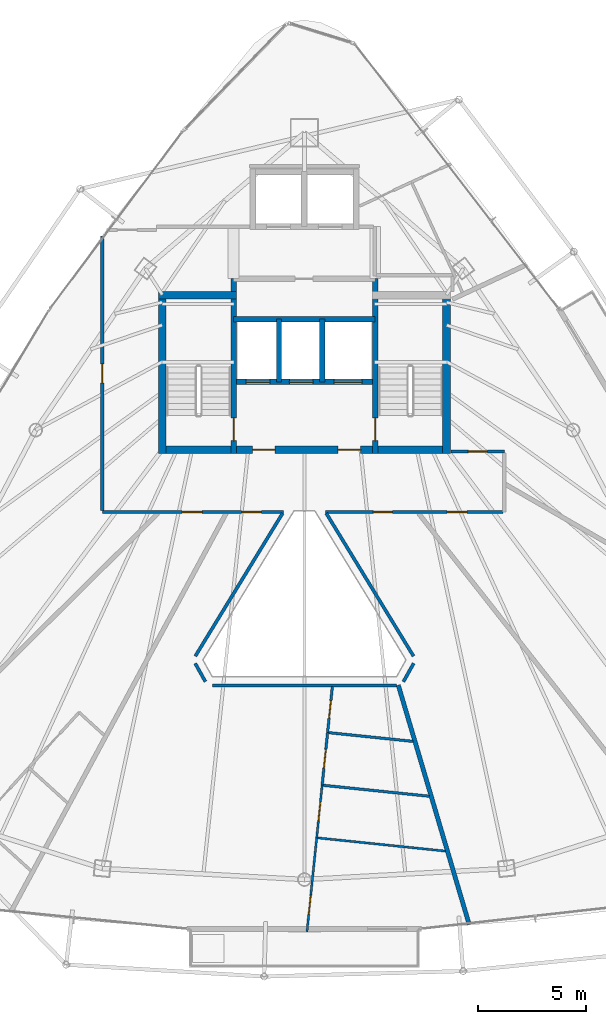
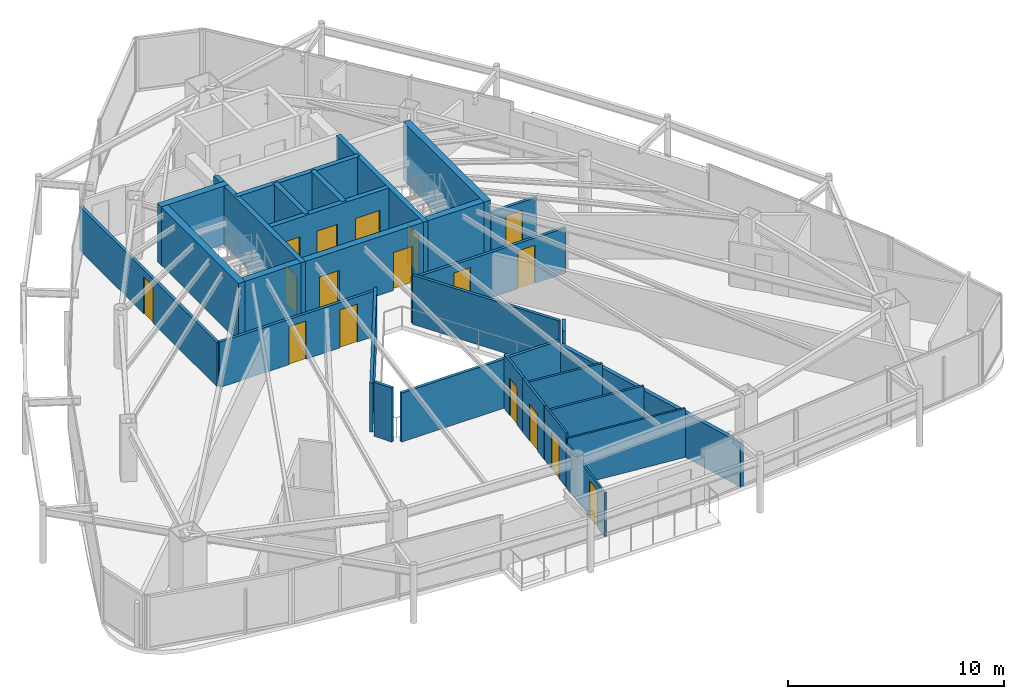
# One storey, part 29 of 33: 27 walls, 17 doors, 17 openings.
"""IFC4 building model written with IfcOpenShell, lengths in metres."""

from ifc_helpers import new_model, si_unit, direction, frame, frame_2d, origin, place, context, subcontext, project, spatial, rectangle, extrude, material, layer, layer_set, type_object, element, fill, save


model = new_model("IFC4")

# Units and contexts
model_context = context("Model", 3, precision=1e-05, world=origin(), true_north=direction((0.0, 1.0)))
body_context = subcontext(model_context, "Body", "Model", "MODEL_VIEW")
ifc_project = project(units=[si_unit("LENGTHUNIT", "METRE"), si_unit("AREAUNIT", "SQUARE_METRE"), si_unit("VOLUMEUNIT", "CUBIC_METRE"), si_unit("PLANEANGLEUNIT", "RADIAN"), si_unit("MASSUNIT", "GRAM", prefix="KILO")], contexts=[model_context])

# Site, building, storey
site_placement = place(None, origin())
site = spatial("IfcSite", under=ifc_project, at=site_placement, CompositionType="ELEMENT")
building_placement = place(site_placement, origin())
building = spatial("IfcBuilding", under=site, at=building_placement, Name="Orvanel Arch Residences", CompositionType="ELEMENT")
storey_placement = place(building_placement, frame((0.0, 0.0, 196.39990234375)))
storey = spatial("IfcBuildingStorey", under=building, at=storey_placement, Name="L55", CompositionType="ELEMENT", Elevation=196.39990234375)

# Wall, opening, door
ifc_material_1 = material(Name="Concrete N50 (50 MPa)", Category="concrete")
ifc_layer_1 = layer(ifc_material_1, 0.25)
ifc_layer_set_1 = layer_set([ifc_layer_1], Name="Concrete N50 (50 MPa)")
wall_type_1 = type_object("IfcWallType", Name="SW-CORE-250", PredefinedType="SHEAR", material=ifc_layer_set_1)
wall_1_placement = place(storey_placement, frame((29.72509765625, 26.550048828125, 0.0), z_axis=(0.0, 0.0, 1.0), x_axis=(0.0, 1.0, 0.0)))
wall_1 = element("IfcWall", 1, at=wall_1_placement, inside=storey, type_object=wall_type_1, Name="L55 West Inner Core Spine Shear Wall", PredefinedType="SHEAR", context=body_context, shape_type="SweptSolid", body=[
    extrude(rectangle(XDim=8.099853515625, YDim=0.25, at=frame_2d((4.0498046875, 0.0))), origin(), (0.0, 0.0, 1.0), 3.300048828125),
])
opening_1_placement = place(wall_1_placement, frame((0.60009765625, 0.0, 0.0)))
opening_1 = element("IfcOpeningElement", 2, at=opening_1_placement, cuts=wall_1, Name="Opening DF-120", PredefinedType="OPENING", context=body_context, shape_type="SweptSolid", body=[
    extrude(rectangle(XDim=1.050048828125, YDim=2.14990234375, at=frame_2d((0.52490234375, 1.074951171875))), frame((0.0, 0.135009765625, 0.0), z_axis=(0.0, -1.0, 0.0), x_axis=(1.0, 0.0, 0.0)), (0.0, 0.0, 1.0), 0.27001953125),
])
ifc_material_2 = material(Name="Galvanised steel fire-resisting door assembly", Category="steel")
door_type_1 = type_object("IfcDoorType", Name="DR-FD120-1050", OperationType="NOTDEFINED", PredefinedType="DOOR", material=ifc_material_2)
door_1_placement = place(opening_1_placement, origin())
door_1 = element("IfcDoor", 3, at=door_1_placement, inside=storey, type_object=door_type_1, Name="DR-L55-ST1 L55 Stair 1 Fire Door", OperationType="SINGLE_SWING_LEFT", OverallHeight=2.14990234375, OverallWidth=1.050048828125, PredefinedType="DOOR", context=body_context, shape_type="SweptSolid", body=[
    extrude(rectangle(XDim=1.050048828125, YDim=2.14990234375, at=frame_2d((0.52490234375, 1.074951171875))), frame((0.0, 0.02490234375, 0.0), z_axis=(0.0, -1.0, 0.0), x_axis=(1.0, 0.0, 0.0)), (0.0, 0.0, 1.0), 0.050048828125),
])
fill(opening_1, door_1)

wall_2_placement = place(storey_placement, frame((36.27490234375, 26.550048828125, 0.0), z_axis=(0.0, 0.0, 1.0), x_axis=(0.0, 1.0, 0.0)))
wall_2 = element("IfcWall", 4, at=wall_2_placement, inside=storey, type_object=wall_type_1, Name="L55 East Inner Core Spine Shear Wall", PredefinedType="SHEAR", context=body_context, shape_type="SweptSolid", body=[
    extrude(rectangle(XDim=8.099853515625, YDim=0.25, at=frame_2d((4.0498046875, 0.0))), origin(), (0.0, 0.0, 1.0), 3.300048828125),
])
opening_2_placement = place(wall_2_placement, frame((0.60009765625, 0.0, 0.0)))
opening_2 = element("IfcOpeningElement", 5, at=opening_2_placement, cuts=wall_2, Name="Opening DF-120", PredefinedType="OPENING", context=body_context, shape_type="SweptSolid", body=[
    extrude(rectangle(XDim=1.050048828125, YDim=2.14990234375, at=frame_2d((0.52490234375, 1.074951171875))), frame((0.0, 0.135009765625, 0.0), z_axis=(0.0, -1.0, 0.0), x_axis=(1.0, 0.0, 0.0)), (0.0, 0.0, 1.0), 0.27001953125),
])
door_2_placement = place(opening_2_placement, origin())
door_2 = element("IfcDoor", 6, at=door_2_placement, inside=storey, type_object=door_type_1, Name="DR-L55-ST2 L55 Stair 2 Fire Door", OperationType="SINGLE_SWING_RIGHT", OverallHeight=2.14990234375, OverallWidth=1.050048828125, PredefinedType="DOOR", context=body_context, shape_type="SweptSolid", body=[
    extrude(rectangle(XDim=1.050048828125, YDim=2.14990234375, at=frame_2d((0.52490234375, 1.074951171875))), frame((0.0, 0.02490234375, 0.0), z_axis=(0.0, -1.0, 0.0), x_axis=(1.0, 0.0, 0.0)), (0.0, 0.0, 1.0), 0.050048828125),
])
fill(opening_2, door_2)

# Wall, openings, doors
wall_3_placement = place(storey_placement, frame((36.27490234375, 29.875, 0.0), z_axis=(0.0, 0.0, 1.0), x_axis=(-1.0, 0.0, 0.0)))
wall_3 = element("IfcWall", 7, at=wall_3_placement, inside=storey, type_object=wall_type_1, Name="L55 Emergency Lift Front Core Shear Wall", PredefinedType="SHEAR", context=body_context, shape_type="SweptSolid", body=[
    extrude(rectangle(XDim=6.5498046875, YDim=0.25, at=frame_2d((3.27490234375, 0.0))), origin(), (0.0, 0.0, 1.0), 3.300048828125),
])
opening_3_placement = place(wall_3_placement, frame((4.875, 0.0, 0.0)))
opening_3 = element("IfcOpeningElement", 8, at=opening_3_placement, cuts=wall_3, Name="Opening LD-110", PredefinedType="OPENING", context=body_context, shape_type="SweptSolid", body=[
    extrude(rectangle(XDim=1.10009765625, YDim=2.199951171875, at=frame_2d((0.550048828125, 1.10009765625))), frame((0.0, 0.135009765625, 0.0), z_axis=(0.0, -1.0, 0.0), x_axis=(1.0, 0.0, 0.0)), (0.0, 0.0, 1.0), 0.27001953125),
])
opening_4_placement = place(wall_3_placement, frame((2.875, 0.0, 0.0)))
opening_4 = element("IfcOpeningElement", 9, at=opening_4_placement, cuts=wall_3, Name="Opening LD-110", PredefinedType="OPENING", context=body_context, shape_type="SweptSolid", body=[
    extrude(rectangle(XDim=1.10009765625, YDim=2.199951171875, at=frame_2d((0.550048828125, 1.10009765625))), frame((0.0, 0.135009765625, 0.0), z_axis=(0.0, -1.0, 0.0), x_axis=(1.0, 0.0, 0.0)), (0.0, 0.0, 1.0), 0.27001953125),
])
opening_5_placement = place(wall_3_placement, frame((0.60009765625, 0.0, 0.0)))
opening_5 = element("IfcOpeningElement", 10, at=opening_5_placement, cuts=wall_3, Name="Opening LD-130", PredefinedType="OPENING", context=body_context, shape_type="SweptSolid", body=[
    extrude(rectangle(XDim=1.300048828125, YDim=2.199951171875, at=frame_2d((0.64990234375, 1.10009765625))), frame((0.0, 0.135009765625, 0.0), z_axis=(0.0, -1.0, 0.0), x_axis=(1.0, 0.0, 0.0)), (0.0, 0.0, 1.0), 0.27001953125),
])
door_type_2 = type_object("IfcDoorType", Name="DR-LFT-1100", OperationType="NOTDEFINED", PredefinedType="DOOR", material=ifc_material_2)
door_3_placement = place(opening_3_placement, origin())
door_3 = element("IfcDoor", 11, at=door_3_placement, inside=storey, type_object=door_type_2, Name="LD-F1-L55 L55 Lift F1 Sliding Landing Door", OperationType="DOUBLE_DOOR_SLIDING", OverallHeight=2.199951171875, OverallWidth=1.10009765625, PredefinedType="DOOR", context=body_context, shape_type="SweptSolid", body=[
    extrude(rectangle(XDim=1.10009765625, YDim=2.199951171875, at=frame_2d((0.550048828125, 1.10009765625))), frame((0.0, 0.02490234375, 0.0), z_axis=(0.0, -1.0, 0.0), x_axis=(1.0, 0.0, 0.0)), (0.0, 0.0, 1.0), 0.050048828125),
])
fill(opening_3, door_3)
door_4_placement = place(opening_4_placement, origin())
door_4 = element("IfcDoor", 12, at=door_4_placement, inside=storey, type_object=door_type_2, Name="LD-F2-L55 L55 Lift F2 Sliding Landing Door", OperationType="DOUBLE_DOOR_SLIDING", OverallHeight=2.199951171875, OverallWidth=1.10009765625, PredefinedType="DOOR", context=body_context, shape_type="SweptSolid", body=[
    extrude(rectangle(XDim=1.10009765625, YDim=2.199951171875, at=frame_2d((0.550048828125, 1.10009765625))), frame((0.0, 0.02490234375, 0.0), z_axis=(0.0, -1.0, 0.0), x_axis=(1.0, 0.0, 0.0)), (0.0, 0.0, 1.0), 0.050048828125),
])
fill(opening_4, door_4)
door_type_3 = type_object("IfcDoorType", Name="DR-LFT-1300", OperationType="NOTDEFINED", PredefinedType="DOOR", material=ifc_material_2)
door_5_placement = place(opening_5_placement, origin())
door_5 = element("IfcDoor", 13, at=door_5_placement, inside=storey, type_object=door_type_3, Name="LD-G1-L55 L55 Lift G1 Sliding Landing Door", OperationType="DOUBLE_DOOR_SLIDING", OverallHeight=2.199951171875, OverallWidth=1.300048828125, PredefinedType="DOOR", context=body_context, shape_type="SweptSolid", body=[
    extrude(rectangle(XDim=1.300048828125, YDim=2.199951171875, at=frame_2d((0.64990234375, 1.10009765625))), frame((0.0, 0.02490234375, 0.0), z_axis=(0.0, -1.0, 0.0), x_axis=(1.0, 0.0, 0.0)), (0.0, 0.0, 1.0), 0.050048828125),
])
fill(opening_5, door_5)

# Walls
wall_4_placement = place(storey_placement, frame((29.72509765625, 32.77490234375, 0.0), z_axis=(0.0, 0.0, 1.0), x_axis=(1.0, 0.0, 0.0)))
element("IfcWall", 14, at=wall_4_placement, inside=storey, type_object=wall_type_1, Name="L55 Emergency Lift Back Core Shear Wall", PredefinedType="SHEAR", context=body_context, shape_type="SweptSolid", body=[
    extrude(rectangle(XDim=6.5498046875, YDim=0.25, at=frame_2d((3.27490234375, 0.0))), origin(), (0.0, 0.0, 1.0), 3.300048828125),
])
for number, where, z_axis, x_axis, name in (
    (15, (31.824951171875, 29.875, 0.0), (0.0, 0.0, 1.0), (0.0, 1.0, 0.0), "L55 Emergency Lift Inter-Shaft Wall F12"),
    (16, (33.824951171875, 29.875, 0.0), (0.0, 0.0, 1.0), (0.0, 1.0, 0.0), "L55 Emergency Lift Inter-Shaft Wall F2G"),
):
    element("IfcWall", number, at=place(storey_placement, frame(where, z_axis=z_axis, x_axis=x_axis)), inside=storey, type_object=wall_type_1, Name=name, PredefinedType="SHEAR", context=body_context, shape_type="SweptSolid", body=[
        extrude(rectangle(XDim=2.89990234375, YDim=0.25, at=frame_2d((1.449951171875, 0.0))), origin(), (0.0, 0.0, 1.0), 3.300048828125),
    ])

# Wall, openings, doors
ifc_layer_2 = layer(ifc_material_1, 0.35009765625)
ifc_layer_set_2 = layer_set([ifc_layer_2], Name="Concrete N50 (50 MPa)")
wall_type_2 = type_object("IfcWallType", Name="SW-CORE-350", PredefinedType="SHEAR", material=ifc_layer_set_2)
wall_5_placement = place(storey_placement, frame((26.25, 26.72509765625, 0.0), z_axis=(0.0, 0.0, 1.0), x_axis=(1.0, 0.0, 0.0)))
wall_5 = element("IfcWall", 17, at=wall_5_placement, inside=storey, type_object=wall_type_2, Name="L55 South Core Shear Wall", PredefinedType="SHEAR", context=body_context, shape_type="SweptSolid", body=[
    extrude(rectangle(XDim=13.5, YDim=0.35009765625, at=frame_2d((6.75, 0.0))), origin(), (0.0, 0.0, 1.0), 3.300048828125),
])
opening_6_placement = place(wall_5_placement, frame((4.35009765625, 0.0, 0.0)))
opening_6 = element("IfcOpeningElement", 18, at=opening_6_placement, cuts=wall_5, Name="Opening DF-060", PredefinedType="OPENING", context=body_context, shape_type="SweptSolid", body=[
    extrude(rectangle(XDim=1.050048828125, YDim=2.14990234375, at=frame_2d((0.52490234375, 1.074951171875))), frame((0.0, 0.18505859375, 0.0), z_axis=(0.0, -1.0, 0.0), x_axis=(1.0, 0.0, 0.0)), (0.0, 0.0, 1.0), 0.3701171875),
])
opening_7_placement = place(wall_5_placement, frame((8.300048828125, 0.0, 0.0)))
opening_7 = element("IfcOpeningElement", 19, at=opening_7_placement, cuts=wall_5, Name="Opening DF-060", PredefinedType="OPENING", context=body_context, shape_type="SweptSolid", body=[
    extrude(rectangle(XDim=1.050048828125, YDim=2.14990234375, at=frame_2d((0.52490234375, 1.074951171875))), frame((0.0, 0.18505859375, 0.0), z_axis=(0.0, -1.0, 0.0), x_axis=(1.0, 0.0, 0.0)), (0.0, 0.0, 1.0), 0.3701171875),
])
door_type_4 = type_object("IfcDoorType", Name="DR-FD60-1050", OperationType="NOTDEFINED", PredefinedType="DOOR", material=ifc_material_2)
door_6_placement = place(opening_6_placement, origin())
door_6 = element("IfcDoor", 20, at=door_6_placement, inside=storey, type_object=door_type_4, Name="DR-L55-FFL-W L55 West Smoke Lobby Door", OperationType="SINGLE_SWING_LEFT", OverallHeight=2.14990234375, OverallWidth=1.050048828125, PredefinedType="DOOR", context=body_context, shape_type="SweptSolid", body=[
    extrude(rectangle(XDim=1.050048828125, YDim=2.14990234375, at=frame_2d((0.52490234375, 1.074951171875))), frame((0.0, 0.02490234375, 0.0), z_axis=(0.0, -1.0, 0.0), x_axis=(1.0, 0.0, 0.0)), (0.0, 0.0, 1.0), 0.050048828125),
])
fill(opening_6, door_6)
door_7_placement = place(opening_7_placement, origin())
door_7 = element("IfcDoor", 21, at=door_7_placement, inside=storey, type_object=door_type_4, Name="DR-L55-FFL-E L55 East Smoke Lobby Door", OperationType="SINGLE_SWING_RIGHT", OverallHeight=2.14990234375, OverallWidth=1.050048828125, PredefinedType="DOOR", context=body_context, shape_type="SweptSolid", body=[
    extrude(rectangle(XDim=1.050048828125, YDim=2.14990234375, at=frame_2d((0.52490234375, 1.074951171875))), frame((0.0, 0.02490234375, 0.0), z_axis=(0.0, -1.0, 0.0), x_axis=(1.0, 0.0, 0.0)), (0.0, 0.0, 1.0), 0.050048828125),
])
fill(opening_7, door_7)

# Walls
wall_6_placement = place(storey_placement, frame((26.425048828125, 26.550048828125, 0.0), z_axis=(0.0, 0.0, 1.0), x_axis=(0.0, 1.0, 0.0)))
element("IfcWall", 22, at=wall_6_placement, inside=storey, type_object=wall_type_2, Name="L55 West Stair Shear Wall", PredefinedType="SHEAR", context=body_context, shape_type="SweptSolid", body=[
    extrude(rectangle(XDim=7.5, YDim=0.35009765625, at=frame_2d((3.75, 0.0))), origin(), (0.0, 0.0, 1.0), 3.300048828125),
])
wall_7_placement = place(storey_placement, frame((26.25, 33.875, 0.0), z_axis=(0.0, 0.0, 1.0), x_axis=(1.0, 0.0, 0.0)))
element("IfcWall", 23, at=wall_7_placement, inside=storey, type_object=wall_type_2, Name="L55 West Stair North Shear Wall", PredefinedType="SHEAR", context=body_context, shape_type="SweptSolid", body=[
    extrude(rectangle(XDim=3.60009765625, YDim=0.35009765625, at=frame_2d((1.800048828125, 0.0))), origin(), (0.0, 0.0, 1.0), 3.300048828125),
])
wall_8_placement = place(storey_placement, frame((39.574951171875, 26.550048828125, 0.0), z_axis=(0.0, 0.0, 1.0), x_axis=(0.0, 1.0, 0.0)))
element("IfcWall", 24, at=wall_8_placement, inside=storey, type_object=wall_type_2, Name="L55 East Stair Shear Wall", PredefinedType="SHEAR", context=body_context, shape_type="SweptSolid", body=[
    extrude(rectangle(XDim=7.5, YDim=0.35009765625, at=frame_2d((3.75, 0.0))), origin(), (0.0, 0.0, 1.0), 3.300048828125),
])

# Wall, openings, doors
ifc_material_3 = material(Name="Fire-rated plasterboard lined steel stud partition", Category="steel")
ifc_layer_3 = layer(ifc_material_3, 0.14990234375)
ifc_layer_set_3 = layer_set([ifc_layer_3], Name="Fire-rated plasterboard lined steel stud partition")
wall_type_3 = type_object("IfcWallType", Name="W-COR-150", PredefinedType="PARTITIONING", material=ifc_layer_set_3)
wall_9_placement = place(storey_placement, frame((32.027099609375, 23.85009765625, 0.0), z_axis=(0.0, 0.0, 1.0), x_axis=(-1.0, 0.0, 0.0)))
wall_9 = element("IfcWall", 25, at=wall_9_placement, inside=storey, type_object=wall_type_3, Name="L55 Corridor Fire-Rated Partition", PredefinedType="PARTITIONING", context=body_context, shape_type="SweptSolid", body=[
    extrude(rectangle(XDim=8.377197265625, YDim=0.14990234375, at=frame_2d((4.1884765625, 0.0))), origin(), (0.0, 0.0, 1.0), 2.565185546875),
])
opening_8_placement = place(wall_9_placement, frame((1.013916015625, 0.0, 0.0)))
opening_8 = element("IfcOpeningElement", 26, at=opening_8_placement, cuts=wall_9, Name="Opening DA-092", PredefinedType="OPENING", context=body_context, shape_type="SweptSolid", body=[
    extrude(rectangle(XDim=0.919921875, YDim=2.14990234375, at=frame_2d((0.4599609375, 1.074951171875))), frame((0.0, 0.0849609375, 0.0), z_axis=(0.0, -1.0, 0.0), x_axis=(1.0, 0.0, 0.0)), (0.0, 0.0, 1.0), 0.169921875),
])
opening_9_placement = place(wall_9_placement, frame((3.762939453125, 0.0, 0.0)))
opening_9 = element("IfcOpeningElement", 27, at=opening_9_placement, cuts=wall_9, Name="Opening DA-092", PredefinedType="OPENING", context=body_context, shape_type="SweptSolid", body=[
    extrude(rectangle(XDim=0.919921875, YDim=2.14990234375, at=frame_2d((0.4599609375, 1.074951171875))), frame((0.0, 0.0849609375, 0.0), z_axis=(0.0, -1.0, 0.0), x_axis=(1.0, 0.0, 0.0)), (0.0, 0.0, 1.0), 0.169921875),
])
ifc_material_4 = material(Name="Solid-core European oak veneer fire door leaf", Category="wood")
door_type_5 = type_object("IfcDoorType", Name="DR-APT-920", OperationType="NOTDEFINED", PredefinedType="DOOR", material=ifc_material_4)
door_8_placement = place(opening_8_placement, origin())
door_8 = element("IfcDoor", 28, at=door_8_placement, inside=storey, type_object=door_type_5, Name="DR-L55-A-ENT L55 Studio A Entrance Door", OperationType="SINGLE_SWING_RIGHT", OverallHeight=2.14990234375, OverallWidth=0.919921875, PredefinedType="DOOR", context=body_context, shape_type="SweptSolid", body=[
    extrude(rectangle(XDim=0.919921875, YDim=2.14990234375, at=frame_2d((0.4599609375, 1.074951171875))), frame((0.0, 0.02490234375, 0.0), z_axis=(0.0, -1.0, 0.0), x_axis=(1.0, 0.0, 0.0)), (0.0, 0.0, 1.0), 0.050048828125),
])
fill(opening_8, door_8)
door_9_placement = place(opening_9_placement, origin())
door_9 = element("IfcDoor", 29, at=door_9_placement, inside=storey, type_object=door_type_5, Name="DR-L55-E-ENT L55 Flat E Entrance Door", OperationType="SINGLE_SWING_RIGHT", OverallHeight=2.14990234375, OverallWidth=0.919921875, PredefinedType="DOOR", context=body_context, shape_type="SweptSolid", body=[
    extrude(rectangle(XDim=0.919921875, YDim=2.14990234375, at=frame_2d((0.4599609375, 1.074951171875))), frame((0.0, 0.02490234375, 0.0), z_axis=(0.0, -1.0, 0.0), x_axis=(1.0, 0.0, 0.0)), (0.0, 0.0, 1.0), 0.050048828125),
])
fill(opening_9, door_9)

# Wall, opening, door
wall_10_placement = place(storey_placement, frame((23.64990234375, 23.909912109375, 0.0), z_axis=(0.0, 0.0, 1.0), x_axis=(0.0, 1.0, 0.0)))
wall_10 = element("IfcWall", 30, at=wall_10_placement, inside=storey, type_object=wall_type_3, Name="L55 Corridor Fire-Rated Partition", PredefinedType="PARTITIONING", context=body_context, shape_type="SweptSolid", body=[
    extrude(rectangle(XDim=12.715087890625, YDim=0.14990234375, at=frame_2d((6.357421875, 0.0))), origin(), (0.0, 0.0, 1.0), 2.4921875),
])
opening_10_placement = place(wall_10_placement, frame((5.9169921875, 0.0, 0.0)))
opening_10 = element("IfcOpeningElement", 31, at=opening_10_placement, cuts=wall_10, Name="Opening DI-088", PredefinedType="OPENING", context=body_context, shape_type="SweptSolid", body=[
    extrude(rectangle(XDim=0.8798828125, YDim=2.10009765625, at=frame_2d((0.43994140625, 1.050048828125))), frame((0.0, 0.0849609375, 0.0), z_axis=(0.0, -1.0, 0.0), x_axis=(1.0, 0.0, 0.0)), (0.0, 0.0, 1.0), 0.169921875),
])
door_type_6 = type_object("IfcDoorType", Name="DR-INT-880", OperationType="NOTDEFINED", PredefinedType="DOOR", material=ifc_material_4)
door_10_placement = place(opening_10_placement, origin())
door_10 = element("IfcDoor", 32, at=door_10_placement, inside=storey, type_object=door_type_6, Name="DR-L55-SHRD-FB2 L55 Co-Working Study Office B Door", OperationType="SINGLE_SWING_LEFT", OverallHeight=2.10009765625, OverallWidth=0.8798828125, PredefinedType="DOOR", context=body_context, shape_type="SweptSolid", body=[
    extrude(rectangle(XDim=0.8798828125, YDim=2.10009765625, at=frame_2d((0.43994140625, 1.050048828125))), frame((0.0, 0.02490234375, 0.0), z_axis=(0.0, -1.0, 0.0), x_axis=(1.0, 0.0, 0.0)), (0.0, 0.0, 1.0), 0.050048828125),
])
fill(opening_10, door_10)

wall_11_placement = place(storey_placement, frame((39.7900390625, 26.64990234375, 0.0), z_axis=(0.0, 0.0, 1.0), x_axis=(1.0, 0.0, 0.0)))
wall_11 = element("IfcWall", 33, at=wall_11_placement, inside=storey, type_object=wall_type_3, Name="L55 Corridor Fire-Rated Partition", PredefinedType="PARTITIONING", context=body_context, shape_type="SweptSolid", body=[
    extrude(rectangle(XDim=2.4599609375, YDim=0.14990234375, at=frame_2d((1.22998046875, 0.0))), origin(), (0.0, 0.0, 1.0), 2.565185546875),
])
opening_11_placement = place(wall_11_placement, frame((0.7900390625, 0.0, 0.0)))
opening_11 = element("IfcOpeningElement", 34, at=opening_11_placement, cuts=wall_11, Name="Opening DI-088", PredefinedType="OPENING", context=body_context, shape_type="SweptSolid", body=[
    extrude(rectangle(XDim=0.8798828125, YDim=2.10009765625, at=frame_2d((0.43994140625, 1.050048828125))), frame((0.0, 0.0849609375, 0.0), z_axis=(0.0, -1.0, 0.0), x_axis=(1.0, 0.0, 0.0)), (0.0, 0.0, 1.0), 0.169921875),
])
door_11_placement = place(opening_11_placement, origin())
door_11 = element("IfcDoor", 35, at=door_11_placement, inside=storey, type_object=door_type_6, Name="DR-L55-SHRD-FB7 L55 Co-Working Study Office G Door", OperationType="SINGLE_SWING_LEFT", OverallHeight=2.10009765625, OverallWidth=0.8798828125, PredefinedType="DOOR", context=body_context, shape_type="SweptSolid", body=[
    extrude(rectangle(XDim=0.8798828125, YDim=2.10009765625, at=frame_2d((0.43994140625, 1.050048828125))), frame((0.0, 0.02490234375, 0.0), z_axis=(0.0, -1.0, 0.0), x_axis=(1.0, 0.0, 0.0)), (0.0, 0.0, 1.0), 0.050048828125),
])
fill(opening_11, door_11)

# Wall, openings, doors
wall_12_placement = place(storey_placement, frame((42.18994140625, 23.85009765625, 0.0), z_axis=(0.0, 0.0, 1.0), x_axis=(-1.0, 0.0, 0.0)))
wall_12 = element("IfcWall", 36, at=wall_12_placement, inside=storey, type_object=wall_type_3, Name="L55 Corridor Fire-Rated Partition", PredefinedType="PARTITIONING", context=body_context, shape_type="SweptSolid", body=[
    extrude(rectangle(XDim=8.217041015625, YDim=0.14990234375, at=frame_2d((4.1083984375, 0.0))), origin(), (0.0, 0.0, 1.0), 2.565185546875),
])
opening_12_placement = place(wall_12_placement, frame((1.669921875, 0.0, 0.0)))
opening_12 = element("IfcOpeningElement", 37, at=opening_12_placement, cuts=wall_12, Name="Opening DA-092", PredefinedType="OPENING", context=body_context, shape_type="SweptSolid", body=[
    extrude(rectangle(XDim=0.919921875, YDim=2.14990234375, at=frame_2d((0.4599609375, 1.074951171875))), frame((0.0, 0.0849609375, 0.0), z_axis=(0.0, -1.0, 0.0), x_axis=(1.0, 0.0, 0.0)), (0.0, 0.0, 1.0), 0.169921875),
])
opening_13_placement = place(wall_12_placement, frame((5.1201171875, 0.0, 0.0)))
opening_13 = element("IfcOpeningElement", 38, at=opening_13_placement, cuts=wall_12, Name="Opening DI-088", PredefinedType="OPENING", context=body_context, shape_type="SweptSolid", body=[
    extrude(rectangle(XDim=0.8798828125, YDim=2.10009765625, at=frame_2d((0.43994140625, 1.050048828125))), frame((0.0, 0.0849609375, 0.0), z_axis=(0.0, -1.0, 0.0), x_axis=(1.0, 0.0, 0.0)), (0.0, 0.0, 1.0), 0.169921875),
])
door_12_placement = place(opening_12_placement, origin())
door_12 = element("IfcDoor", 39, at=door_12_placement, inside=storey, type_object=door_type_5, Name="DR-L55-C-ENT L55 Studio C Entrance Door", OperationType="SINGLE_SWING_RIGHT", OverallHeight=2.14990234375, OverallWidth=0.919921875, PredefinedType="DOOR", context=body_context, shape_type="SweptSolid", body=[
    extrude(rectangle(XDim=0.919921875, YDim=2.14990234375, at=frame_2d((0.4599609375, 1.074951171875))), frame((0.0, 0.02490234375, 0.0), z_axis=(0.0, -1.0, 0.0), x_axis=(1.0, 0.0, 0.0)), (0.0, 0.0, 1.0), 0.050048828125),
])
fill(opening_12, door_12)
door_13_placement = place(opening_13_placement, origin())
door_13 = element("IfcDoor", 40, at=door_13_placement, inside=storey, type_object=door_type_6, Name="DR-L55-SHRD-FB4 L55 Co-Working Study Office D Door", OperationType="SINGLE_SWING_LEFT", OverallHeight=2.10009765625, OverallWidth=0.8798828125, PredefinedType="DOOR", context=body_context, shape_type="SweptSolid", body=[
    extrude(rectangle(XDim=0.8798828125, YDim=2.10009765625, at=frame_2d((0.43994140625, 1.050048828125))), frame((0.0, 0.02490234375, 0.0), z_axis=(0.0, -1.0, 0.0), x_axis=(1.0, 0.0, 0.0)), (0.0, 0.0, 1.0), 0.050048828125),
])
fill(opening_13, door_13)

# Walls
wall_13_placement = place(storey_placement, frame((34.010009765625, 23.7900390625, 0.0), z_axis=(0.0, 0.0, 1.0), x_axis=(0.521316137909, -0.853363629618, 0.0)))
element("IfcWall", 41, at=wall_13_placement, inside=storey, type_object=wall_type_3, Name="L55 Atrium Overlook Glazed Partition", PredefinedType="PARTITIONING", context=body_context, shape_type="SweptSolid", body=[
    extrude(rectangle(XDim=7.745849609375, YDim=0.14990234375, at=frame_2d((3.873046875, 0.0))), origin(), (0.0, 0.0, 1.0), 2.773193359375),
])
wall_14_placement = place(storey_placement, frame((38.053955078125, 16.843994140625, 0.0), z_axis=(0.0, 0.0, 1.0), x_axis=(-0.488810833005, -0.872389803664, 0.0)))
element("IfcWall", 42, at=wall_14_placement, inside=storey, type_object=wall_type_3, Name="L55 Atrium Overlook Glazed Partition", PredefinedType="PARTITIONING", context=body_context, shape_type="SweptSolid", body=[
    extrude(rectangle(XDim=0.967529296875, YDim=0.14990234375, at=frame_2d((0.48388671875, 0.0))), origin(), (0.0, 0.0, 1.0), 3.06005859375),
])
wall_15_placement = place(storey_placement, frame((37.2529296875, 15.827880859375, 0.0), z_axis=(0.0, 0.0, 1.0), x_axis=(-1.0, 0.0, 0.0)))
element("IfcWall", 43, at=wall_15_placement, inside=storey, type_object=wall_type_3, Name="L55 Atrium Overlook Glazed Partition", PredefinedType="PARTITIONING", context=body_context, shape_type="SweptSolid", body=[
    extrude(rectangle(XDim=8.505859375, YDim=0.14990234375, at=frame_2d((4.2529296875, 0.0))), origin(), (0.0, 0.0, 1.0), 2.773193359375),
])
wall_16_placement = place(storey_placement, frame((28.4189453125, 16.0, 0.0), z_axis=(0.0, 0.0, 1.0), x_axis=(-0.488810833005, 0.872389803664, 0.0)))
element("IfcWall", 44, at=wall_16_placement, inside=storey, type_object=wall_type_3, Name="L55 Atrium Overlook Glazed Partition", PredefinedType="PARTITIONING", context=body_context, shape_type="SweptSolid", body=[
    extrude(rectangle(XDim=0.967529296875, YDim=0.14990234375, at=frame_2d((0.48388671875, 0.0))), origin(), (0.0, 0.0, 1.0), 3.06005859375),
])
wall_17_placement = place(storey_placement, frame((27.951904296875, 17.179931640625, 0.0), z_axis=(0.0, 0.0, 1.0), x_axis=(0.521316137909, 0.853363629618, 0.0)))
element("IfcWall", 45, at=wall_17_placement, inside=storey, type_object=wall_type_3, Name="L55 Atrium Overlook Glazed Partition", PredefinedType="PARTITIONING", context=body_context, shape_type="SweptSolid", body=[
    extrude(rectangle(XDim=7.745849609375, YDim=0.14990234375, at=frame_2d((3.873046875, 0.0))), origin(), (0.0, 0.0, 1.0), 2.773193359375),
])
ifc_layer_4 = layer(ifc_material_3, 0.199951171875)
ifc_layer_set_4 = layer_set([ifc_layer_4], Name="Fire-rated plasterboard lined steel stud partition")
wall_type_4 = type_object("IfcWallType", Name="W-DEM-200", PredefinedType="PARTITIONING", material=ifc_layer_set_4)
wall_18_placement = place(storey_placement, frame((37.343017578125, 15.839111328125, 0.0), z_axis=(0.0, 0.0, 1.0), x_axis=(0.28399703203, -0.958825159139, 0.0)))
element("IfcWall", 46, at=wall_18_placement, inside=storey, type_object=wall_type_4, Name="L55 Inter-Tenancy Acoustic Demising Wall", PredefinedType="PARTITIONING", context=body_context, shape_type="SweptSolid", body=[
    extrude(rectangle(XDim=11.563232421875, YDim=0.199951171875, at=frame_2d((5.78173828125, 0.0))), origin(), (0.0, 0.0, 1.0), 2.4921875),
])

# Wall, opening, door
ifc_material_5 = material(Name="Acoustic plasterboard lined twin-stud partition", Category="gypsum")
ifc_layer_5 = layer(ifc_material_5, 0.10009765625)
ifc_layer_set_5 = layer_set([ifc_layer_5], Name="Acoustic plasterboard lined twin-stud partition")
wall_type_5 = type_object("IfcWallType", Name="W-INT-100", PredefinedType="PARTITIONING", material=ifc_layer_set_5)
wall_19_placement = place(storey_placement, frame((33.568115234375, 8.77587890625, 0.0), z_axis=(0.0, 0.0, 1.0), x_axis=(-0.1029239069, -0.994689232569, 0.0)))
wall_19 = element("IfcWall", 47, at=wall_19_placement, inside=storey, type_object=wall_type_5, Name="L55 Studio A Internal Partition", PredefinedType="PARTITIONING", context=body_context, shape_type="SweptSolid", body=[
    extrude(rectangle(XDim=4.3740234375, YDim=0.10009765625, at=frame_2d((2.18701171875, 0.0))), origin(), (0.0, 0.0, 1.0), 2.4921875),
])
opening_14_placement = place(wall_19_placement, frame((2.681884765625, 0.0, 0.0)))
opening_14 = element("IfcOpeningElement", 48, at=opening_14_placement, cuts=wall_19, Name="Opening DI-088", PredefinedType="OPENING", context=body_context, shape_type="SweptSolid", body=[
    extrude(rectangle(XDim=0.8798828125, YDim=2.10009765625, at=frame_2d((0.43994140625, 1.050048828125))), frame((0.0, 0.06005859375, 0.0), z_axis=(0.0, -1.0, 0.0), x_axis=(1.0, 0.0, 0.0)), (0.0, 0.0, 1.0), 0.1201171875),
])
door_14_placement = place(opening_14_placement, origin())
door_14 = element("IfcDoor", 49, at=door_14_placement, inside=storey, type_object=door_type_6, Name="DR-L55-A-RCP1 L55 Studio A Private Concierge Reception 1 Door", OperationType="SINGLE_SWING_LEFT", OverallHeight=2.10009765625, OverallWidth=0.8798828125, PredefinedType="DOOR", context=body_context, shape_type="SweptSolid", body=[
    extrude(rectangle(XDim=0.8798828125, YDim=2.10009765625, at=frame_2d((0.43994140625, 1.050048828125))), frame((0.0, 0.02490234375, 0.0), z_axis=(0.0, -1.0, 0.0), x_axis=(1.0, 0.0, 0.0)), (0.0, 0.0, 1.0), 0.050048828125),
])
fill(opening_14, door_14)

wall_20_placement = place(storey_placement, frame((33.820068359375, 11.2099609375, 0.0), z_axis=(0.0, 0.0, 1.0), x_axis=(-0.102960420087, -0.994685453747, 0.0)))
wall_20 = element("IfcWall", 50, at=wall_20_placement, inside=storey, type_object=wall_type_5, Name="L55 Studio A Internal Partition", PredefinedType="PARTITIONING", context=body_context, shape_type="SweptSolid", body=[
    extrude(rectangle(XDim=2.447021484375, YDim=0.10009765625, at=frame_2d((1.2236328125, 0.0))), origin(), (0.0, 0.0, 1.0), 3.06005859375),
])
opening_15_placement = place(wall_20_placement, frame((0.783935546875, 0.0, 0.0)))
opening_15 = element("IfcOpeningElement", 51, at=opening_15_placement, cuts=wall_20, Name="Opening DI-088", PredefinedType="OPENING", context=body_context, shape_type="SweptSolid", body=[
    extrude(rectangle(XDim=0.8798828125, YDim=2.10009765625, at=frame_2d((0.43994140625, 1.050048828125))), frame((0.0, 0.06005859375, 0.0), z_axis=(0.0, -1.0, 0.0), x_axis=(1.0, 0.0, 0.0)), (0.0, 0.0, 1.0), 0.1201171875),
])
door_15_placement = place(opening_15_placement, origin())
door_15 = element("IfcDoor", 52, at=door_15_placement, inside=storey, type_object=door_type_6, Name="DR-L55-A-RCP2 L55 Studio A Private Concierge Reception 2 Door", OperationType="SINGLE_SWING_LEFT", OverallHeight=2.10009765625, OverallWidth=0.8798828125, PredefinedType="DOOR", context=body_context, shape_type="SweptSolid", body=[
    extrude(rectangle(XDim=0.8798828125, YDim=2.10009765625, at=frame_2d((0.43994140625, 1.050048828125))), frame((0.0, 0.02490234375, 0.0), z_axis=(0.0, -1.0, 0.0), x_axis=(1.0, 0.0, 0.0)), (0.0, 0.0, 1.0), 0.050048828125),
])
fill(opening_15, door_15)

# Wall
wall_21_placement = place(storey_placement, frame((33.568115234375, 8.77587890625, 0.0), z_axis=(0.0, 0.0, 1.0), x_axis=(0.994686760155, -0.102947798284, 0.0)))
element("IfcWall", 53, at=wall_21_placement, inside=storey, type_object=wall_type_5, Name="L55 Studio A Internal Partition", PredefinedType="PARTITIONING", context=body_context, shape_type="SweptSolid", body=[
    extrude(rectangle(XDim=5.99267578125, YDim=0.10009765625, at=frame_2d((2.996337890625, 0.0))), origin(), (0.0, 0.0, 1.0), 2.773193359375),
])

# Wall, opening, door
ifc_layer_6 = layer(ifc_material_5, 0.1201171875)
ifc_layer_set_6 = layer_set([ifc_layer_6], Name="Acoustic plasterboard lined twin-stud partition")
wall_type_6 = type_object("IfcWallType", Name="W-WET-120", PredefinedType="PARTITIONING", material=ifc_layer_set_6)
wall_22_placement = place(storey_placement, frame((34.2919921875, 15.76806640625, 0.0), z_axis=(0.0, 0.0, 1.0), x_axis=(-0.103059151492, -0.994675229054, 0.0)))
wall_22 = element("IfcWall", 54, at=wall_22_placement, inside=storey, type_object=wall_type_6, Name="L55 Studio A Bathroom Partition", PredefinedType="PARTITIONING", context=body_context, shape_type="SweptSolid", body=[
    extrude(rectangle(XDim=2.134521484375, YDim=0.1201171875, at=frame_2d((1.0673828125, 0.0))), origin(), (0.0, 0.0, 1.0), 3.06005859375),
])
opening_16_placement = place(wall_22_placement, frame((0.656982421875, 0.0, 0.0)))
opening_16 = element("IfcOpeningElement", 55, at=opening_16_placement, cuts=wall_22, Name="Opening DW-082", PredefinedType="OPENING", context=body_context, shape_type="SweptSolid", body=[
    extrude(rectangle(XDim=0.820068359375, YDim=2.10009765625, at=frame_2d((0.41015625, 1.050048828125))), frame((0.0, 0.070068359375, 0.0), z_axis=(0.0, -1.0, 0.0), x_axis=(1.0, 0.0, 0.0)), (0.0, 0.0, 1.0), 0.14013671875),
])
door_type_7 = type_object("IfcDoorType", Name="DR-WET-820", OperationType="NOTDEFINED", PredefinedType="DOOR", material=ifc_material_4)
door_16_placement = place(opening_16_placement, origin())
door_16 = element("IfcDoor", 56, at=door_16_placement, inside=storey, type_object=door_type_7, Name="DR-L55-A-BATH L55 Studio A Bathroom Door", OperationType="SINGLE_SWING_RIGHT", OverallHeight=2.10009765625, OverallWidth=0.820068359375, PredefinedType="DOOR", context=body_context, shape_type="SweptSolid", body=[
    extrude(rectangle(XDim=0.820068359375, YDim=2.10009765625, at=frame_2d((0.41015625, 1.050048828125))), frame((0.0, 0.02490234375, 0.0), z_axis=(0.0, -1.0, 0.0), x_axis=(1.0, 0.0, 0.0)), (0.0, 0.0, 1.0), 0.050048828125),
])
fill(opening_16, door_16)

wall_23_placement = place(storey_placement, frame((34.072021484375, 13.64501953125, 0.0), z_axis=(0.0, 0.0, 1.0), x_axis=(-0.102919566026, -0.994689681724, 0.0)))
wall_23 = element("IfcWall", 57, at=wall_23_placement, inside=storey, type_object=wall_type_6, Name="L55 Studio A Internal Partition", PredefinedType="PARTITIONING", context=body_context, shape_type="SweptSolid", body=[
    extrude(rectangle(XDim=2.447998046875, YDim=0.1201171875, at=frame_2d((1.22412109375, 0.0))), origin(), (0.0, 0.0, 1.0), 3.06005859375),
])
opening_17_placement = place(wall_23_placement, frame((0.783935546875, 0.0, 0.0)))
opening_17 = element("IfcOpeningElement", 58, at=opening_17_placement, cuts=wall_23, Name="Opening DI-088", PredefinedType="OPENING", context=body_context, shape_type="SweptSolid", body=[
    extrude(rectangle(XDim=0.8798828125, YDim=2.10009765625, at=frame_2d((0.43994140625, 1.050048828125))), frame((0.0, 0.070068359375, 0.0), z_axis=(0.0, -1.0, 0.0), x_axis=(1.0, 0.0, 0.0)), (0.0, 0.0, 1.0), 0.14013671875),
])
door_17_placement = place(opening_17_placement, origin())
door_17 = element("IfcDoor", 59, at=door_17_placement, inside=storey, type_object=door_type_6, Name="DR-L55-A-KIT L55 Studio A Kitchenette Door", OperationType="SINGLE_SWING_LEFT", OverallHeight=2.10009765625, OverallWidth=0.8798828125, PredefinedType="DOOR", context=body_context, shape_type="SweptSolid", body=[
    extrude(rectangle(XDim=0.8798828125, YDim=2.10009765625, at=frame_2d((0.43994140625, 1.050048828125))), frame((0.0, 0.02490234375, 0.0), z_axis=(0.0, -1.0, 0.0), x_axis=(1.0, 0.0, 0.0)), (0.0, 0.0, 1.0), 0.050048828125),
])
fill(opening_17, door_17)

# Walls
wall_24_placement = place(storey_placement, frame((38.02490234375, 13.236083984375, 0.0), z_axis=(0.0, 0.0, 1.0), x_axis=(-0.99469136016, 0.102903343108, 0.0)))
element("IfcWall", 60, at=wall_24_placement, inside=storey, type_object=wall_type_6, Name="L55 Studio A Bathroom Partition", PredefinedType="PARTITIONING", context=body_context, shape_type="SweptSolid", body=[
    extrude(rectangle(XDim=3.973876953125, YDim=0.1201171875, at=frame_2d((1.98681640625, 0.0))), origin(), (0.0, 0.0, 1.0), 2.773193359375),
])
wall_25_placement = place(storey_placement, frame((38.777099609375, 10.697998046875, 0.0), z_axis=(0.0, 0.0, 1.0), x_axis=(-0.994708898019, 0.102733676081, 0.0)))
element("IfcWall", 61, at=wall_25_placement, inside=storey, type_object=wall_type_6, Name="L55 Studio A Internal Partition", PredefinedType="PARTITIONING", context=body_context, shape_type="SweptSolid", body=[
    extrude(rectangle(XDim=4.9833984375, YDim=0.1201171875, at=frame_2d((2.49169921875, 0.0))), origin(), (0.0, 0.0, 1.0), 2.773193359375),
])

save(model, "model.ifc")
